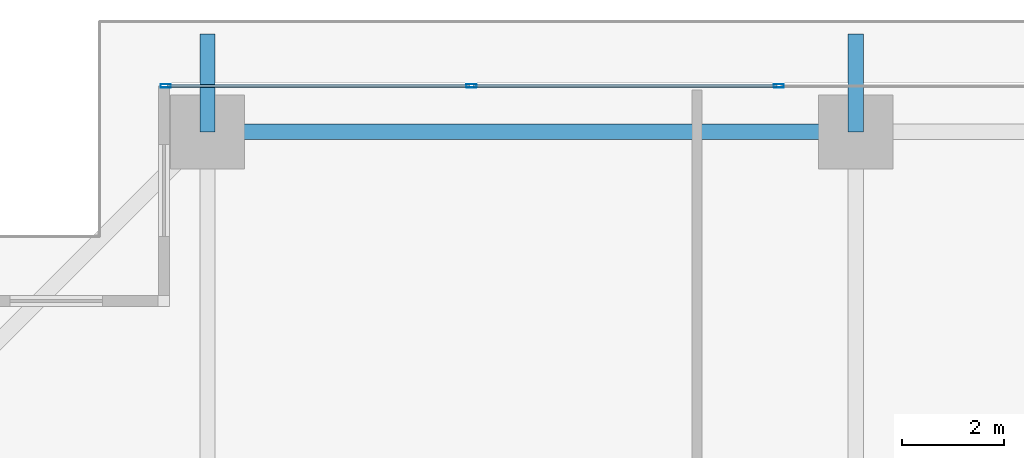
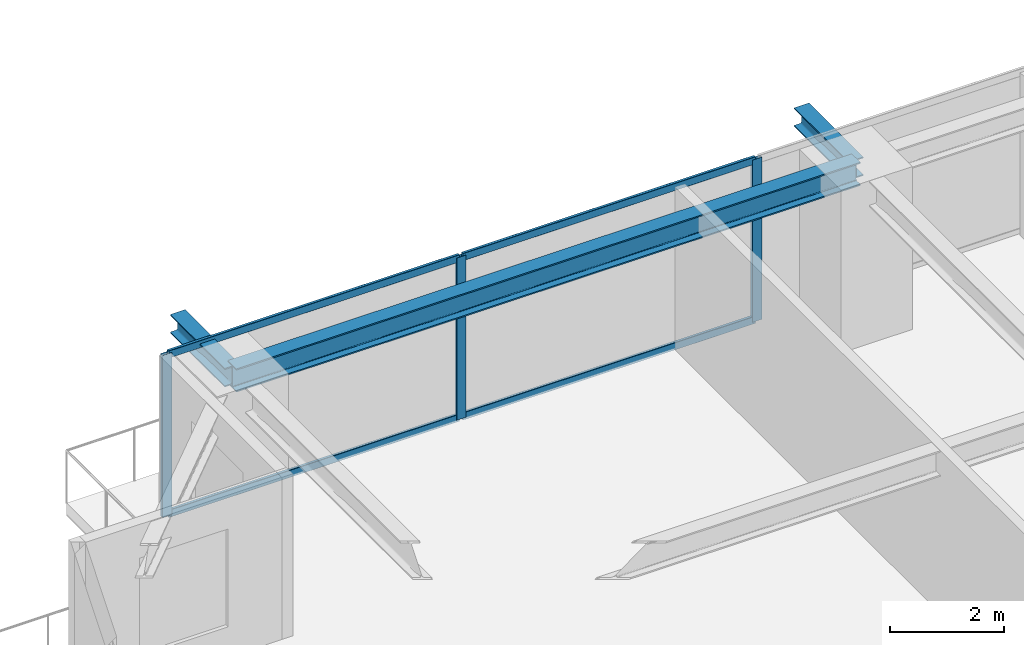
# One storey, part 20 of 40: 7 members, 3 beams, 1 element without a shape of its own.
"""IFC4 building model written with IfcOpenShell, lengths in metres."""

from ifc_helpers import new_model, si_unit, direction, frame, origin, origin_2d, place, context, subcontext, project, spatial, hollow_rectangle, i_section, extrude, source, transform, mapped, material, layer, layer_set, material_profile, profile_set, type_object, element, aggregate, save


model = new_model("IFC4")

# Units and contexts
model_context = context("Model", 3, precision=1e-05, world=origin(), true_north=direction((0.0, 1.0)))
body_context = subcontext(model_context, "Body", "Model", "MODEL_VIEW")
ifc_project = project(units=[si_unit("LENGTHUNIT", "METRE"), si_unit("AREAUNIT", "SQUARE_METRE"), si_unit("VOLUMEUNIT", "CUBIC_METRE"), si_unit("PLANEANGLEUNIT", "RADIAN"), si_unit("MASSUNIT", "GRAM", prefix="KILO")], contexts=[model_context])

# Site, building, storey
site_placement = place(None, origin())
site = spatial("IfcSite", under=ifc_project, at=site_placement, CompositionType="ELEMENT")
building_placement = place(site_placement, origin())
building = spatial("IfcBuilding", under=site, at=building_placement, Name="Serunith Strait Residences", CompositionType="ELEMENT")
storey_placement = place(building_placement, frame((0.0, 0.0, 90.449951171875)))
storey = spatial("IfcBuildingStorey", under=building, at=storey_placement, Name="L22", CompositionType="ELEMENT", Elevation=90.449951171875)

# Beams
ifc_material_1 = material(Name="Steel S355J2", Category="steel")
ifc_material_profile_1 = material_profile(ifc_material_1, i_section(OverallWidth=0.300048828125, OverallDepth=0.5, WebThickness=0.014404296875, FlangeThickness=0.028076171875, FilletRadius=0.027099609375, at=origin_2d()), Name="HEB 500")
ifc_profile_set_1 = profile_set([ifc_material_profile_1], Name="Steel S355J2")
beam_type_1 = type_object("IfcBeamType", Name="BM-HEB500", PredefinedType="BEAM", material=ifc_profile_set_1)
shared_shape_1 = source(origin(), body_context, "Body", "SweptSolid", [
    extrude(i_section(OverallWidth=0.300048828125, OverallDepth=0.5, WebThickness=0.014404296875, FlangeThickness=0.028076171875, FilletRadius=0.027099609375, at=origin_2d()), origin(), (0.0, 0.0, 1.0), 12.64990234375),
])
beam_placement = place(storey_placement, frame((27.89990234375, 49.300048828125, 3.237060546875), z_axis=(-1.0, 0.0, 0.0), x_axis=(0.0, -1.0, 0.0)))
element("IfcBeam", 1, at=beam_placement, inside=storey, type_object=beam_type_1, Name="L22 Perimeter Ring Beam 11", PredefinedType="BEAM", context=body_context, shape_type="MappedRepresentation", body=[
    mapped(shared_shape_1, transform((0.0, 0.0, 0.0), scale=1.0)),
])
ifc_material_profile_2 = material_profile(ifc_material_1, i_section(OverallWidth=0.300048828125, OverallDepth=0.39990234375, WebThickness=0.013427734375, FlangeThickness=0.02392578125, FilletRadius=0.027099609375, at=origin_2d()), Name="HEB 400")
ifc_profile_set_2 = profile_set([ifc_material_profile_2], Name="Steel S355J2")
beam_type_2 = type_object("IfcBeamType", Name="BM-HEB400", PredefinedType="BEAM", material=ifc_profile_set_2)
shared_shape_2 = source(origin(), body_context, "Body", "SweptSolid", [
    extrude(i_section(OverallWidth=0.300048828125, OverallDepth=0.39990234375, WebThickness=0.013427734375, FlangeThickness=0.02392578125, FilletRadius=0.027099609375, at=origin_2d()), origin(), (0.0, 0.0, 1.0), 1.909912109375),
])
for number, where, z_axis, x_axis, name in (
    (2, (15.25, 49.300048828125, 3.257080078125), (0.0, 1.0, 0.0), (-1.0, 0.0, 0.0), "L23 Cantilevered Balcony Rib TC-N1"),
    (3, (27.89990234375, 49.300048828125, 3.257080078125), (0.0, 1.0, 0.0), (-1.0, 0.0, 0.0), "L23 Cantilevered Balcony Rib TC-N2"),
):
    element("IfcBeam", number, at=place(storey_placement, frame(where, z_axis=z_axis, x_axis=x_axis)), inside=storey, type_object=beam_type_2, Name=name, PredefinedType="BEAM", context=body_context, shape_type="MappedRepresentation", body=[
        mapped(shared_shape_2, transform((0.0, 0.0, 0.0), scale=1.0)),
    ])

# Curtain wall, members
ifc_material_2 = material(Name="Pale-Champagne Anodised Aluminium", Category="aluminium")
ifc_layer = layer(ifc_material_2, 0.199951171875, Name="Pale-Champagne Anodised Aluminium")
ifc_layer_set = layer_set([ifc_layer], Name="Pale-Champagne Anodised Aluminium")
curtain_wall_type = type_object("IfcCurtainWallType", Name="CW-SYS1", PredefinedType="NOTDEFINED", material=ifc_layer_set)
curtain_wall_placement = place(storey_placement, origin())
curtain_wall = element("IfcCurtainWall", 4, at=curtain_wall_placement, inside=storey, type_object=curtain_wall_type, Name="L22 N Unitised Fritted Curtain Wall", PredefinedType="NOTDEFINED")
ifc_material_profile_3 = material_profile(ifc_material_2, hollow_rectangle(XDim=0.070068359375, YDim=0.199951171875, WallThickness=0.00390625, InnerFilletRadius=0.006103515625, OuterFilletRadius=0.010009765625, at=origin_2d()), Name="ALU 200x70x4")
ifc_profile_set_3 = profile_set([ifc_material_profile_3], Name="Pale-Champagne Anodised Aluminium")
member_type_1 = type_object("IfcMemberType", Name="CW-SYS1-MULL", PredefinedType="MULLION", material=ifc_profile_set_3)
shared_shape_3 = source(origin(), body_context, "Body", "SweptSolid", [
    extrude(hollow_rectangle(XDim=0.070068359375, YDim=0.199951171875, WallThickness=0.00390625, InnerFilletRadius=0.006103515625, OuterFilletRadius=0.010009765625, at=origin_2d()), origin(), (0.0, 0.0, 1.0), 3.47509765625),
])
member_1_placement = place(storey_placement, frame((26.39990234375, 50.199951171875, 0.0), z_axis=(0.0, 0.0, 1.0), x_axis=(0.0, -1.0, 0.0)))
member_1 = element("IfcMember", 5, at=member_1_placement, type_object=member_type_1, Name="CW-1 mullion 5", PredefinedType="MULLION", context=body_context, shape_type="MappedRepresentation", body=[
    mapped(shared_shape_3, transform((0.0, 0.0, 0.0), scale=1.0)),
])
member_2_placement = place(storey_placement, frame((20.39990234375, 50.199951171875, 0.0), z_axis=(0.0, 0.0, 1.0), x_axis=(0.0, -1.0, 0.0)))
member_2 = element("IfcMember", 6, at=member_2_placement, type_object=member_type_1, Name="CW-1 mullion 6", PredefinedType="MULLION", context=body_context, shape_type="MappedRepresentation", body=[
    mapped(shared_shape_3, transform((0.0, 0.0, 0.0), scale=1.0)),
])
member_3_placement = place(storey_placement, frame((14.43505859375, 50.199951171875, 0.0), z_axis=(0.0, 0.0, 1.0), x_axis=(0.0, -1.0, 0.0)))
member_3 = element("IfcMember", 7, at=member_3_placement, type_object=member_type_1, Name="CW-1 mullion 7", PredefinedType="MULLION", context=body_context, shape_type="MappedRepresentation", body=[
    mapped(shared_shape_3, transform((0.0, 0.0, 0.0), scale=1.0)),
])
ifc_material_profile_4 = material_profile(ifc_material_2, hollow_rectangle(XDim=0.06005859375, YDim=0.159912109375, WallThickness=0.00341796875, InnerFilletRadius=0.00537109375, OuterFilletRadius=0.0087890625, at=origin_2d()), Name="ALU 160x60x3.5")
ifc_profile_set_4 = profile_set([ifc_material_profile_4], Name="Pale-Champagne Anodised Aluminium")
member_type_2 = type_object("IfcMemberType", Name="CW-SYS1-TRAN", PredefinedType="USERDEFINED", material=ifc_profile_set_4)
shared_shape_4 = source(origin(), body_context, "Body", "SweptSolid", [
    extrude(hollow_rectangle(XDim=0.06005859375, YDim=0.159912109375, WallThickness=0.00341796875, InnerFilletRadius=0.00537109375, OuterFilletRadius=0.0087890625, at=origin_2d()), origin(), (0.0, 0.0, 1.0), 5.89501953125),
])
member_4_placement = place(storey_placement, frame((20.364990234375, 50.199951171875, 0.030029296875), z_axis=(-1.0, 0.0, 0.0), x_axis=(0.0, -1.0, 0.0)))
member_4 = element("IfcMember", 8, at=member_4_placement, type_object=member_type_2, Name="CW-1 transom 6.1", ObjectType="TRANSOM", PredefinedType="USERDEFINED", context=body_context, shape_type="MappedRepresentation", body=[
    mapped(shared_shape_4, transform((0.0, 0.0, 0.0), scale=1.0)),
])
member_5_placement = place(storey_placement, frame((20.364990234375, 50.199951171875, 3.445068359375), z_axis=(-1.0, 0.0, 0.0), x_axis=(0.0, -1.0, 0.0)))
member_5 = element("IfcMember", 9, at=member_5_placement, type_object=member_type_2, Name="CW-1 transom 6.2", ObjectType="TRANSOM", PredefinedType="USERDEFINED", context=body_context, shape_type="MappedRepresentation", body=[
    mapped(shared_shape_4, transform((0.0, 0.0, 0.0), scale=1.0)),
])
shared_shape_5 = source(origin(), body_context, "Body", "SweptSolid", [
    extrude(hollow_rectangle(XDim=0.06005859375, YDim=0.159912109375, WallThickness=0.00341796875, InnerFilletRadius=0.00537109375, OuterFilletRadius=0.0087890625, at=origin_2d()), origin(), (0.0, 0.0, 1.0), 5.929931640625),
])
member_6_placement = place(storey_placement, frame((26.364990234375, 50.199951171875, 0.030029296875), z_axis=(-1.0, 0.0, 0.0), x_axis=(0.0, -1.0, 0.0)))
member_6 = element("IfcMember", 10, at=member_6_placement, type_object=member_type_2, Name="CW-1 transom 5.1", ObjectType="TRANSOM", PredefinedType="USERDEFINED", context=body_context, shape_type="MappedRepresentation", body=[
    mapped(shared_shape_5, transform((0.0, 0.0, 0.0), scale=1.0)),
])
member_7_placement = place(storey_placement, frame((26.364990234375, 50.199951171875, 3.445068359375), z_axis=(-1.0, 0.0, 0.0), x_axis=(0.0, -1.0, 0.0)))
member_7 = element("IfcMember", 11, at=member_7_placement, type_object=member_type_2, Name="CW-1 transom 5.2", ObjectType="TRANSOM", PredefinedType="USERDEFINED", context=body_context, shape_type="MappedRepresentation", body=[
    mapped(shared_shape_5, transform((0.0, 0.0, 0.0), scale=1.0)),
])
aggregate(curtain_wall, [member_1, member_2, member_3, member_6, member_7, member_4, member_5])

save(model, "model.ifc")
